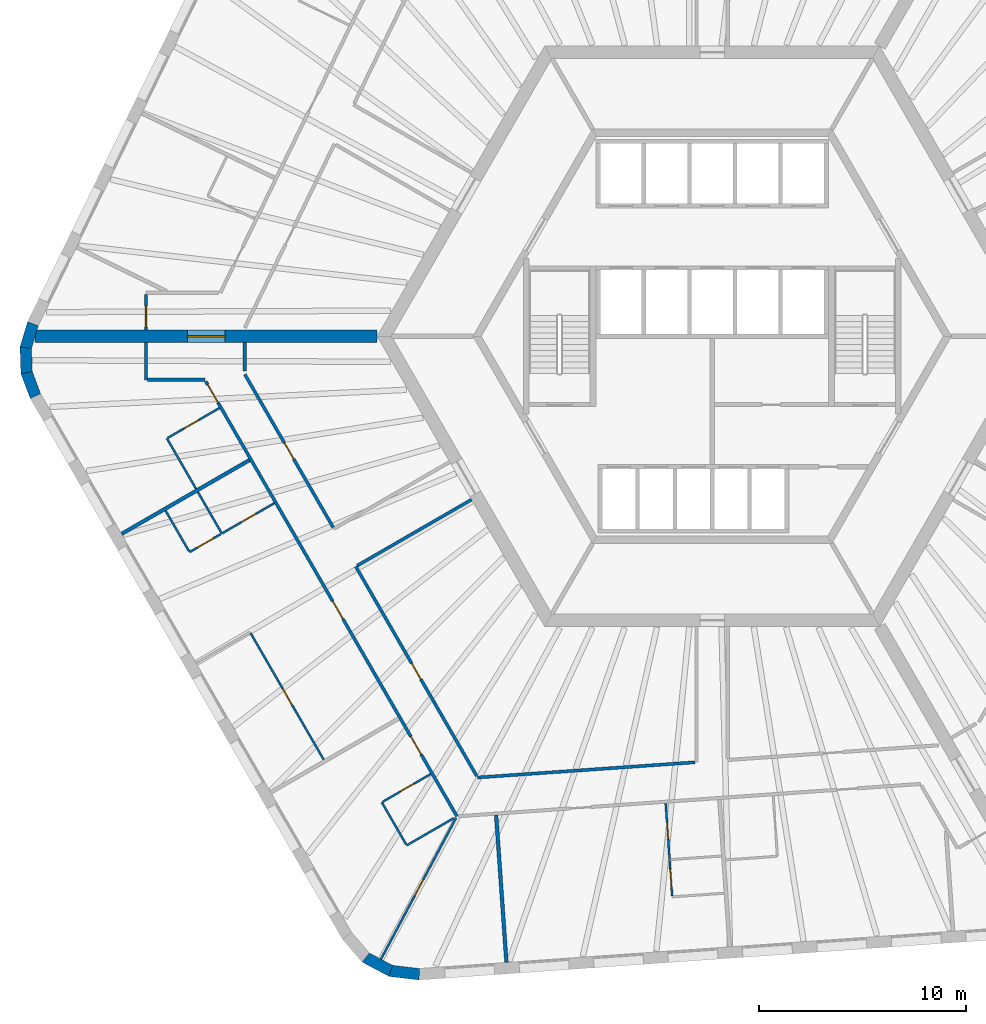
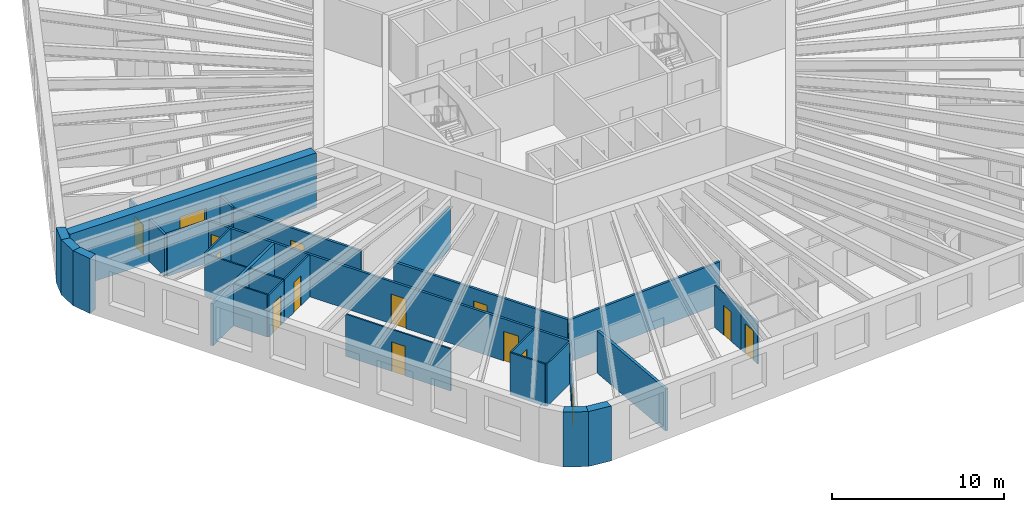
# One storey, part 3 of 11: 30 walls, 15 doors, 15 openings.
"""IFC4 building model written with IfcOpenShell, lengths in metres."""

from ifc_helpers import new_model, si_unit, direction, frame, frame_2d, origin, place, context, subcontext, project, spatial, polyline, rectangle, outline, extrude, material, layer, layer_set, type_object, element, fill, save


model = new_model("IFC4")

# Units and contexts
model_context = context("Model", 3, precision=1e-05, world=origin(), true_north=direction((0.0, 1.0)))
body_context = subcontext(model_context, "Body", "Model", "MODEL_VIEW")
ifc_project = project(units=[si_unit("LENGTHUNIT", "METRE"), si_unit("AREAUNIT", "SQUARE_METRE"), si_unit("VOLUMEUNIT", "CUBIC_METRE"), si_unit("PLANEANGLEUNIT", "RADIAN"), si_unit("MASSUNIT", "GRAM", prefix="KILO")], contexts=[model_context])

# Site, building, storey
site_placement = place(None, origin())
site = spatial("IfcSite", under=ifc_project, at=site_placement, CompositionType="ELEMENT")
building_placement = place(site_placement, origin())
building = spatial("IfcBuilding", under=site, at=building_placement, Name="Tarnside Tower", CompositionType="ELEMENT")
storey_placement = place(building_placement, frame((0.0, 0.0, 107.699951171875)))
storey = spatial("IfcBuildingStorey", under=building, at=storey_placement, Name="L24", CompositionType="ELEMENT", Elevation=107.699951171875)

# Wall
ifc_material_1 = material(Name="Gypsum board partition on steel studs", Category="steel")
ifc_layer_1 = layer(ifc_material_1, 0.10009765625)
ifc_layer_set_1 = layer_set([ifc_layer_1], Name="Bathroom wall 100")
wall_type_1 = type_object("IfcWallType", Name="Bathroom wall 100", PredefinedType="PARTITIONING", material=ifc_layer_set_1)
wall_1_placement = place(storey_placement, frame((-24.90673828125, -7.360595703125, 0.0), z_axis=(0.0, 0.0, 1.0), x_axis=(-0.499933044277, 0.866064057238, 0.0)))
element("IfcWall", 1, at=wall_1_placement, inside=storey, type_object=wall_type_1, Name="Bathroom wall 07102", PredefinedType="PARTITIONING", context=body_context, shape_type="SweptSolid", body=[
    extrude(rectangle(XDim=2.81005859375, YDim=0.10009765625, at=frame_2d((1.405029296875, 0.0))), origin(), (0.0, 0.0, 1.0), 2.98779296875),
])

# Wall, opening, door
wall_2_placement = place(storey_placement, frame((-26.268310546875, -4.90185546875, 0.0), z_axis=(0.0, 0.0, 1.0), x_axis=(0.866018712932, 0.500011588718, 0.0)))
wall_2 = element("IfcWall", 2, at=wall_2_placement, inside=storey, type_object=wall_type_1, Name="Bathroom wall 07103", PredefinedType="PARTITIONING", context=body_context, shape_type="SweptSolid", body=[
    extrude(rectangle(XDim=2.875, YDim=0.10009765625, at=frame_2d((1.4375, 0.0))), origin(), (0.0, 0.0, 1.0), 2.98779296875),
])
opening_1_placement = place(wall_2_placement, frame((0.89990234375, 0.0, 0.0)))
opening_1 = element("IfcOpeningElement", 3, at=opening_1_placement, cuts=wall_2, Name="Opening D-B1", PredefinedType="OPENING", context=body_context, shape_type="SweptSolid", body=[
    extrude(rectangle(XDim=0.800048828125, YDim=2.10009765625, at=frame_2d((0.39990234375, 1.050048828125))), frame((0.0, 0.06005859375, 0.0), z_axis=(0.0, -1.0, 0.0), x_axis=(1.0, 0.0, 0.0)), (0.0, 0.0, 1.0), 0.1201171875),
])
ifc_material_2 = material(Name="Timber door leaf", Category="wood")
door_type_1 = type_object("IfcDoorType", Name="Bathroom door 800", OperationType="NOTDEFINED", PredefinedType="DOOR", material=ifc_material_2)
door_1_placement = place(opening_1_placement, origin())
door_1 = element("IfcDoor", 4, at=door_1_placement, inside=storey, type_object=door_type_1, Name="Bathroom door 07015", OperationType="SINGLE_SWING_RIGHT", OverallHeight=2.10009765625, OverallWidth=0.800048828125, PredefinedType="DOOR", context=body_context, shape_type="SweptSolid", body=[
    extrude(rectangle(XDim=0.800048828125, YDim=2.10009765625, at=frame_2d((0.39990234375, 1.050048828125))), frame((0.0, 0.02490234375, 0.0), z_axis=(0.0, -1.0, 0.0), x_axis=(1.0, 0.0, 0.0)), (0.0, 0.0, 1.0), 0.050048828125),
])
fill(opening_1, door_1)

wall_3_placement = place(storey_placement, frame((-21.12841796875, -8.054443359375, 0.0), z_axis=(0.0, 0.0, 1.0), x_axis=(-0.866046596414, -0.499963291492, 0.0)))
wall_3 = element("IfcWall", 5, at=wall_3_placement, inside=storey, type_object=wall_type_1, Name="Bathroom wall 07107", PredefinedType="PARTITIONING", context=body_context, shape_type="SweptSolid", body=[
    extrude(rectangle(XDim=2.925048828125, YDim=0.10009765625, at=frame_2d((1.46240234375, 0.0))), origin(), (0.0, 0.0, 1.0), 2.98779296875),
])
opening_2_placement = place(wall_3_placement, frame((1.02490234375, 0.0, 0.0)))
opening_2 = element("IfcOpeningElement", 6, at=opening_2_placement, cuts=wall_3, Name="Opening D-B1", PredefinedType="OPENING", context=body_context, shape_type="SweptSolid", body=[
    extrude(rectangle(XDim=0.800048828125, YDim=2.10009765625, at=frame_2d((0.39990234375, 1.050048828125))), frame((0.0, 0.06005859375, 0.0), z_axis=(0.0, -1.0, 0.0), x_axis=(1.0, 0.0, 0.0)), (0.0, 0.0, 1.0), 0.1201171875),
])
door_2_placement = place(opening_2_placement, origin())
door_2 = element("IfcDoor", 7, at=door_2_placement, inside=storey, type_object=door_type_1, Name="Bathroom door 07017", OperationType="SINGLE_SWING_RIGHT", OverallHeight=2.10009765625, OverallWidth=0.800048828125, PredefinedType="DOOR", context=body_context, shape_type="SweptSolid", body=[
    extrude(rectangle(XDim=0.800048828125, YDim=2.10009765625, at=frame_2d((0.39990234375, 1.050048828125))), frame((0.0, 0.02490234375, 0.0), z_axis=(0.0, -1.0, 0.0), x_axis=(1.0, 0.0, 0.0)), (0.0, 0.0, 1.0), 0.050048828125),
])
fill(opening_2, door_2)

# Walls
wall_4_placement = place(storey_placement, frame((-24.816650390625, -7.516357421875, 0.0), z_axis=(0.0, 0.0, 1.0), x_axis=(0.500031020067, -0.8660074936, 0.0)))
element("IfcWall", 8, at=wall_4_placement, inside=storey, type_object=wall_type_1, Name="Bathroom wall 07113", PredefinedType="PARTITIONING", context=body_context, shape_type="SweptSolid", body=[
    extrude(rectangle(XDim=2.260009765625, YDim=0.10009765625, at=frame_2d((1.1298828125, 0.0))), origin(), (0.0, 0.0, 1.0), 2.98779296875),
])
wall_5_placement = place(storey_placement, frame((-12.465576171875, -23.251220703125, 0.0), z_axis=(0.0, 0.0, 1.0), x_axis=(-0.866017009382, -0.50001453925, 0.0)))
element("IfcWall", 9, at=wall_5_placement, inside=storey, type_object=wall_type_1, Name="Bathroom wall 07115", PredefinedType="PARTITIONING", context=body_context, shape_type="SweptSolid", body=[
    extrude(rectangle(XDim=2.62890625, YDim=0.10009765625, at=frame_2d((1.314453125, 0.0))), origin(), (0.0, 0.0, 1.0), 2.98779296875),
])
wall_6_placement = place(storey_placement, frame((-14.767333984375, -24.5224609375, 0.0), z_axis=(0.0, 0.0, 1.0), x_axis=(-0.499938297808, 0.866061024631, 0.0)))
element("IfcWall", 10, at=wall_6_placement, inside=storey, type_object=wall_type_1, Name="Bathroom wall 07116", PredefinedType="PARTITIONING", context=body_context, shape_type="SweptSolid", body=[
    extrude(rectangle(XDim=2.349853515625, YDim=0.10009765625, at=frame_2d((1.1748046875, 0.0))), origin(), (0.0, 0.0, 1.0), 2.98779296875),
])

# Wall, opening, door
wall_7_placement = place(storey_placement, frame((-15.89892578125, -22.462158203125, 0.0), z_axis=(0.0, 0.0, 1.0), x_axis=(0.86604424267, 0.499967368674, 0.0)))
wall_7 = element("IfcWall", 11, at=wall_7_placement, inside=storey, type_object=wall_type_1, Name="Bathroom wall 07117", PredefinedType="PARTITIONING", context=body_context, shape_type="SweptSolid", body=[
    extrude(rectangle(XDim=2.675048828125, YDim=0.10009765625, at=frame_2d((1.33740234375, 0.0))), origin(), (0.0, 0.0, 1.0), 2.98779296875),
])
opening_3_placement = place(wall_7_placement, frame((0.949951171875, 0.0, 0.0)))
opening_3 = element("IfcOpeningElement", 12, at=opening_3_placement, cuts=wall_7, Name="Opening D-B1", PredefinedType="OPENING", context=body_context, shape_type="SweptSolid", body=[
    extrude(rectangle(XDim=0.800048828125, YDim=2.10009765625, at=frame_2d((0.39990234375, 1.050048828125))), frame((0.0, 0.06005859375, 0.0), z_axis=(0.0, -1.0, 0.0), x_axis=(1.0, 0.0, 0.0)), (0.0, 0.0, 1.0), 0.1201171875),
])
door_3_placement = place(opening_3_placement, origin())
door_3 = element("IfcDoor", 13, at=door_3_placement, inside=storey, type_object=door_type_1, Name="Bathroom door 07021", OperationType="SINGLE_SWING_RIGHT", OverallHeight=2.10009765625, OverallWidth=0.800048828125, PredefinedType="DOOR", context=body_context, shape_type="SweptSolid", body=[
    extrude(rectangle(XDim=0.800048828125, YDim=2.10009765625, at=frame_2d((0.39990234375, 1.050048828125))), frame((0.0, 0.02490234375, 0.0), z_axis=(0.0, -1.0, 0.0), x_axis=(1.0, 0.0, 0.0)), (0.0, 0.0, 1.0), 0.050048828125),
])
fill(opening_3, door_3)

wall_8_placement = place(storey_placement, frame((-2.054443359375, -25.2548828125, 0.0), z_axis=(0.0, 0.0, 1.0), x_axis=(-0.069789009646, 0.997561774595, 0.0)))
wall_8 = element("IfcWall", 14, at=wall_8_placement, inside=storey, type_object=wall_type_1, Name="Bathroom wall 07120", PredefinedType="PARTITIONING", context=body_context, shape_type="SweptSolid", body=[
    extrude(rectangle(XDim=2.72509765625, YDim=0.10009765625, at=frame_2d((1.362548828125, 0.0))), origin(), (0.0, 0.0, 1.0), 2.98779296875),
])
opening_4_placement = place(wall_8_placement, frame((1.0, 0.0, 0.0)))
opening_4 = element("IfcOpeningElement", 15, at=opening_4_placement, cuts=wall_8, Name="Opening D-B1", PredefinedType="OPENING", context=body_context, shape_type="SweptSolid", body=[
    extrude(rectangle(XDim=0.800048828125, YDim=2.10009765625, at=frame_2d((0.39990234375, 1.050048828125))), frame((0.0, 0.06005859375, 0.0), z_axis=(0.0, -1.0, 0.0), x_axis=(1.0, 0.0, 0.0)), (0.0, 0.0, 1.0), 0.1201171875),
])
door_4_placement = place(opening_4_placement, origin())
door_4 = element("IfcDoor", 16, at=door_4_placement, inside=storey, type_object=door_type_1, Name="Bathroom door 07024", OperationType="SINGLE_SWING_LEFT", OverallHeight=2.10009765625, OverallWidth=0.800048828125, PredefinedType="DOOR", context=body_context, shape_type="SweptSolid", body=[
    extrude(rectangle(XDim=0.800048828125, YDim=2.10009765625, at=frame_2d((0.39990234375, 1.050048828125))), frame((0.0, 0.02490234375, 0.0), z_axis=(0.0, -1.0, 0.0), x_axis=(1.0, 0.0, 0.0)), (0.0, 0.0, 1.0), 0.050048828125),
])
fill(opening_4, door_4)

ifc_material_3 = material(Name="Concrete C80/95", Category="concrete")
ifc_layer_2 = layer(ifc_material_3, 0.60009765625)
ifc_layer_set_2 = layer_set([ifc_layer_2], Name="Core wall Z1 600 C80/95")
wall_type_2 = type_object("IfcWallType", Name="Core wall Z1 600 C80/95", PredefinedType="SHEAR", material=ifc_layer_set_2)
wall_9_placement = place(storey_placement, frame((-16.165771484375, 0.0, -0.14990234375), z_axis=(0.0, 0.0, 1.0), x_axis=(-1.0, 0.0, 0.0)))
wall_9 = element("IfcWall", 17, at=wall_9_placement, inside=storey, type_object=wall_type_2, Name="L24 spine wall 2", PredefinedType="SHEAR", context=body_context, shape_type="SweptSolid", body=[
    extrude(rectangle(XDim=16.509033203125, YDim=0.60009765625, at=frame_2d((8.25439453125, 0.0))), origin(), (0.0, 0.0, 1.0), 3.89990234375),
])
opening_5_placement = place(wall_9_placement, frame((7.3544921875, 0.0, 0.14990234375)))
opening_5 = element("IfcOpeningElement", 18, at=opening_5_placement, cuts=wall_9, Name="Opening CD-SPN", PredefinedType="OPENING", context=body_context, shape_type="SweptSolid", body=[
    extrude(rectangle(XDim=1.800048828125, YDim=2.39990234375, at=frame_2d((0.89990234375, 1.199951171875))), frame((0.0, 0.31005859375, 0.0), z_axis=(0.0, -1.0, 0.0), x_axis=(1.0, 0.0, 0.0)), (0.0, 0.0, 1.0), 0.6201171875),
])
ifc_material_4 = material(Name="Steel fire door", Category="steel")
door_type_2 = type_object("IfcDoorType", Name="Spine passage double door FD60 1800x2400", OperationType="NOTDEFINED", PredefinedType="DOOR", material=ifc_material_4)
door_5_placement = place(opening_5_placement, origin())
door_5 = element("IfcDoor", 19, at=door_5_placement, inside=storey, type_object=door_type_2, Name="L24 spine passage door 2", OperationType="DOUBLE_DOOR_SINGLE_SWING", OverallHeight=2.39990234375, OverallWidth=1.800048828125, PredefinedType="DOOR", context=body_context, shape_type="SweptSolid", body=[
    extrude(rectangle(XDim=1.800048828125, YDim=2.39990234375, at=frame_2d((0.89990234375, 1.199951171875))), frame((0.0, 0.02490234375, 0.0), z_axis=(0.0, -1.0, 0.0), x_axis=(1.0, 0.0, 0.0)), (0.0, 0.0, 1.0), 0.050048828125),
])
fill(opening_5, door_5)

ifc_layer_3 = layer(ifc_material_1, 0.14990234375)
ifc_layer_set_3 = layer_set([ifc_layer_3], Name="Corridor wall 150 EI 60")
wall_type_3 = type_object("IfcWallType", Name="Corridor wall 150 EI 60", PredefinedType="PARTITIONING", material=ifc_layer_set_3)
wall_10_placement = place(storey_placement, frame((-27.3203125, 2.02490234375, 0.0), z_axis=(0.0, 0.0, 1.0), x_axis=(0.0, -1.0, 0.0)))
wall_10 = element("IfcWall", 20, at=wall_10_placement, inside=storey, type_object=wall_type_3, Name="Corridor wall 07017", PredefinedType="PARTITIONING", context=body_context, shape_type="SweptSolid", body=[
    extrude(rectangle(XDim=1.724853515625, YDim=0.14990234375, at=frame_2d((0.8623046875, 0.0))), origin(), (0.0, 0.0, 1.0), 2.98779296875),
])
opening_6_placement = place(wall_10_placement, frame((0.574951171875, 0.0, 0.0)))
opening_6 = element("IfcOpeningElement", 21, at=opening_6_placement, cuts=wall_10, Name="Opening D-E1", PredefinedType="OPENING", context=body_context, shape_type="SweptSolid", body=[
    extrude(rectangle(XDim=1.0, YDim=2.10009765625, at=frame_2d((0.5, 1.050048828125))), frame((0.0, 0.0849609375, 0.0), z_axis=(0.0, -1.0, 0.0), x_axis=(1.0, 0.0, 0.0)), (0.0, 0.0, 1.0), 0.169921875),
])
door_type_3 = type_object("IfcDoorType", Name="Unit entrance door 1000 FD30S", OperationType="NOTDEFINED", PredefinedType="DOOR", material=ifc_material_2)
door_6_placement = place(opening_6_placement, origin())
door_6 = element("IfcDoor", 22, at=door_6_placement, inside=storey, type_object=door_type_3, Name="Unit door 07013", OperationType="SINGLE_SWING_LEFT", OverallHeight=2.10009765625, OverallWidth=1.0, PredefinedType="DOOR", context=body_context, shape_type="SweptSolid", body=[
    extrude(rectangle(XDim=1.0, YDim=2.10009765625, at=frame_2d((0.5, 1.050048828125))), frame((0.0, 0.02490234375, 0.0), z_axis=(0.0, -1.0, 0.0), x_axis=(1.0, 0.0, 0.0)), (0.0, 0.0, 1.0), 0.050048828125),
])
fill(opening_6, door_6)

# Walls
wall_11_placement = place(storey_placement, frame((-27.3203125, -0.300048828125, 0.0), z_axis=(0.0, 0.0, 1.0), x_axis=(0.0, -1.0, 0.0)))
element("IfcWall", 23, at=wall_11_placement, inside=storey, type_object=wall_type_3, Name="Corridor wall 07027", PredefinedType="PARTITIONING", context=body_context, shape_type="SweptSolid", body=[
    extrude(rectangle(XDim=1.800048828125, YDim=0.14990234375, at=frame_2d((0.89990234375, 0.0))), origin(), (0.0, 0.0, 1.0), 2.98779296875),
])
wall_12_placement = place(storey_placement, frame((-27.245361328125, -2.10009765625, 0.0), z_axis=(0.0, 0.0, 1.0), x_axis=(1.0, 0.0, 0.0)))
element("IfcWall", 24, at=wall_12_placement, inside=storey, type_object=wall_type_3, Name="Corridor wall 07028", PredefinedType="PARTITIONING", context=body_context, shape_type="SweptSolid", body=[
    extrude(rectangle(XDim=2.765625, YDim=0.14990234375, at=frame_2d((1.3828125, 0.0))), origin(), (0.0, 0.0, 1.0), 2.98779296875),
])

# Wall, openings, doors
wall_13_placement = place(storey_placement, frame((-24.436279296875, -2.175048828125, 0.0), z_axis=(0.0, 0.0, 1.0), x_axis=(0.499996816197, -0.866027241946, 0.0)))
wall_13 = element("IfcWall", 25, at=wall_13_placement, inside=storey, type_object=wall_type_3, Name="Corridor wall 07029", PredefinedType="PARTITIONING", context=body_context, shape_type="SweptSolid", body=[
    extrude(rectangle(XDim=24.238037109375, YDim=0.14990234375, at=frame_2d((12.119140625, 0.0))), origin(), (0.0, 0.0, 1.0), 2.98779296875),
])
opening_7_placement = place(wall_13_placement, frame((0.179443359375, 0.0, 0.0)))
opening_7 = element("IfcOpeningElement", 26, at=opening_7_placement, cuts=wall_13, Name="Opening D-E1", PredefinedType="OPENING", context=body_context, shape_type="SweptSolid", body=[
    extrude(rectangle(XDim=1.0, YDim=2.10009765625, at=frame_2d((0.5, 1.050048828125))), frame((0.0, 0.0849609375, 0.0), z_axis=(0.0, -1.0, 0.0), x_axis=(1.0, 0.0, 0.0)), (0.0, 0.0, 1.0), 0.169921875),
])
opening_8_placement = place(wall_13_placement, frame((12.24560546875, 0.0, 0.0)))
opening_8 = element("IfcOpeningElement", 27, at=opening_8_placement, cuts=wall_13, Name="Opening D-E1", PredefinedType="OPENING", context=body_context, shape_type="SweptSolid", body=[
    extrude(rectangle(XDim=1.0, YDim=2.10009765625, at=frame_2d((0.5, 1.050048828125))), frame((0.0, 0.0849609375, 0.0), z_axis=(0.0, -1.0, 0.0), x_axis=(1.0, 0.0, 0.0)), (0.0, 0.0, 1.0), 0.169921875),
])
opening_9_placement = place(wall_13_placement, frame((19.791748046875, 0.0, 0.0)))
opening_9 = element("IfcOpeningElement", 28, at=opening_9_placement, cuts=wall_13, Name="Opening D-E1", PredefinedType="OPENING", context=body_context, shape_type="SweptSolid", body=[
    extrude(rectangle(XDim=1.0, YDim=2.10009765625, at=frame_2d((0.5, 1.050048828125))), frame((0.0, 0.0849609375, 0.0), z_axis=(0.0, -1.0, 0.0), x_axis=(1.0, 0.0, 0.0)), (0.0, 0.0, 1.0), 0.169921875),
])
door_7_placement = place(opening_7_placement, origin())
door_7 = element("IfcDoor", 29, at=door_7_placement, inside=storey, type_object=door_type_3, Name="Unit door 07014", OperationType="SINGLE_SWING_RIGHT", OverallHeight=2.10009765625, OverallWidth=1.0, PredefinedType="DOOR", context=body_context, shape_type="SweptSolid", body=[
    extrude(rectangle(XDim=1.0, YDim=2.10009765625, at=frame_2d((0.5, 1.050048828125))), frame((0.0, 0.02490234375, 0.0), z_axis=(0.0, -1.0, 0.0), x_axis=(1.0, 0.0, 0.0)), (0.0, 0.0, 1.0), 0.050048828125),
])
fill(opening_7, door_7)
door_8_placement = place(opening_8_placement, origin())
door_8 = element("IfcDoor", 30, at=door_8_placement, inside=storey, type_object=door_type_3, Name="Unit door 07016", OperationType="SINGLE_SWING_RIGHT", OverallHeight=2.10009765625, OverallWidth=1.0, PredefinedType="DOOR", context=body_context, shape_type="SweptSolid", body=[
    extrude(rectangle(XDim=1.0, YDim=2.10009765625, at=frame_2d((0.5, 1.050048828125))), frame((0.0, 0.02490234375, 0.0), z_axis=(0.0, -1.0, 0.0), x_axis=(1.0, 0.0, 0.0)), (0.0, 0.0, 1.0), 0.050048828125),
])
fill(opening_8, door_8)
door_9_placement = place(opening_9_placement, origin())
door_9 = element("IfcDoor", 31, at=door_9_placement, inside=storey, type_object=door_type_3, Name="Unit door 07020", OperationType="SINGLE_SWING_RIGHT", OverallHeight=2.10009765625, OverallWidth=1.0, PredefinedType="DOOR", context=body_context, shape_type="SweptSolid", body=[
    extrude(rectangle(XDim=1.0, YDim=2.10009765625, at=frame_2d((0.5, 1.050048828125))), frame((0.0, 0.02490234375, 0.0), z_axis=(0.0, -1.0, 0.0), x_axis=(1.0, 0.0, 0.0)), (0.0, 0.0, 1.0), 0.050048828125),
])
fill(opening_9, door_9)

# Wall, opening, door
wall_14_placement = place(storey_placement, frame((-18.287109375, -9.225830078125, 0.0), z_axis=(0.0, 0.0, 1.0), x_axis=(-0.500004853958, 0.866022601332, 0.0)))
wall_14 = element("IfcWall", 32, at=wall_14_placement, inside=storey, type_object=wall_type_3, Name="Corridor wall 07044", PredefinedType="PARTITIONING", context=body_context, shape_type="SweptSolid", body=[
    extrude(rectangle(XDim=8.53125, YDim=0.14990234375, at=frame_2d((4.265625, 0.0))), origin(), (0.0, 0.0, 1.0), 2.98779296875),
])
opening_10_placement = place(wall_14_placement, frame((3.815673828125, 0.0, 0.0)))
opening_10 = element("IfcOpeningElement", 33, at=opening_10_placement, cuts=wall_14, Name="Opening D-S1", PredefinedType="OPENING", context=body_context, shape_type="SweptSolid", body=[
    extrude(rectangle(XDim=0.89990234375, YDim=2.10009765625, at=frame_2d((0.449951171875, 1.050048828125))), frame((0.0, 0.0849609375, 0.0), z_axis=(0.0, -1.0, 0.0), x_axis=(1.0, 0.0, 0.0)), (0.0, 0.0, 1.0), 0.169921875),
])
door_type_4 = type_object("IfcDoorType", Name="Service room door 900 FD30S", OperationType="NOTDEFINED", PredefinedType="DOOR", material=ifc_material_2)
door_10_placement = place(opening_10_placement, origin())
door_10 = element("IfcDoor", 34, at=door_10_placement, inside=storey, type_object=door_type_4, Name="Service door 07045", OperationType="SINGLE_SWING_RIGHT", OverallHeight=2.10009765625, OverallWidth=0.89990234375, PredefinedType="DOOR", context=body_context, shape_type="SweptSolid", body=[
    extrude(rectangle(XDim=0.89990234375, YDim=2.10009765625, at=frame_2d((0.449951171875, 1.050048828125))), frame((0.0, 0.02490234375, 0.0), z_axis=(0.0, -1.0, 0.0), x_axis=(1.0, 0.0, 0.0)), (0.0, 0.0, 1.0), 0.050048828125),
])
fill(opening_10, door_10)

# Walls
wall_15_placement = place(storey_placement, frame((-22.552734375, -1.6875, 0.0), z_axis=(0.0, 0.0, 1.0), x_axis=(0.0, 1.0, 0.0)))
element("IfcWall", 35, at=wall_15_placement, inside=storey, type_object=wall_type_3, Name="Corridor wall 07045", PredefinedType="PARTITIONING", context=body_context, shape_type="SweptSolid", body=[
    extrude(rectangle(XDim=1.387451171875, YDim=0.14990234375, at=frame_2d((0.69384765625, 0.0))), origin(), (0.0, 0.0, 1.0), 2.98779296875),
])
wall_16_placement = place(storey_placement, frame((-0.824951171875, -20.5576171875, 0.0), z_axis=(0.0, 0.0, 1.0), x_axis=(-0.997564524135, -0.069749696677, 0.0)))
element("IfcWall", 36, at=wall_16_placement, inside=storey, type_object=wall_type_3, Name="Corridor wall 07047", PredefinedType="PARTITIONING", context=body_context, shape_type="SweptSolid", body=[
    extrude(rectangle(XDim=10.521728515625, YDim=0.14990234375, at=frame_2d((5.2607421875, 0.0))), origin(), (0.0, 0.0, 1.0), 2.98779296875),
])

# Wall, opening, door
wall_17_placement = place(storey_placement, frame((-11.362548828125, -21.21923828125, 0.0), z_axis=(0.0, 0.0, 1.0), x_axis=(-0.50001451402, 0.866017023949, 0.0)))
wall_17 = element("IfcWall", 37, at=wall_17_placement, inside=storey, type_object=wall_type_3, Name="Corridor wall 07048", PredefinedType="PARTITIONING", context=body_context, shape_type="SweptSolid", body=[
    extrude(rectangle(XDim=11.674072265625, YDim=0.14990234375, at=frame_2d((5.8369140625, 0.0))), origin(), (0.0, 0.0, 1.0), 2.98779296875),
])
opening_11_placement = place(wall_17_placement, frame((5.386962890625, 0.0, 0.0)))
opening_11 = element("IfcOpeningElement", 38, at=opening_11_placement, cuts=wall_17, Name="Opening D-S1", PredefinedType="OPENING", context=body_context, shape_type="SweptSolid", body=[
    extrude(rectangle(XDim=0.89990234375, YDim=2.10009765625, at=frame_2d((0.449951171875, 1.050048828125))), frame((0.0, 0.0849609375, 0.0), z_axis=(0.0, -1.0, 0.0), x_axis=(1.0, 0.0, 0.0)), (0.0, 0.0, 1.0), 0.169921875),
])
door_11_placement = place(opening_11_placement, origin())
door_11 = element("IfcDoor", 39, at=door_11_placement, inside=storey, type_object=door_type_4, Name="Service door 07046", OperationType="SINGLE_SWING_RIGHT", OverallHeight=2.10009765625, OverallWidth=0.89990234375, PredefinedType="DOOR", context=body_context, shape_type="SweptSolid", body=[
    extrude(rectangle(XDim=0.89990234375, YDim=2.10009765625, at=frame_2d((0.449951171875, 1.050048828125))), frame((0.0, 0.02490234375, 0.0), z_axis=(0.0, -1.0, 0.0), x_axis=(1.0, 0.0, 0.0)), (0.0, 0.0, 1.0), 0.050048828125),
])
fill(opening_11, door_11)

# Walls
wall_18_placement = place(storey_placement, frame((-17.134765625, -11.07177734375, 0.0), z_axis=(0.0, 0.0, 1.0), x_axis=(0.866028703517, 0.499994284652, 0.0)))
element("IfcWall", 40, at=wall_18_placement, inside=storey, type_object=wall_type_3, Name="Corridor wall 07049", PredefinedType="PARTITIONING", context=body_context, shape_type="SweptSolid", body=[
    extrude(rectangle(XDim=6.375, YDim=0.14990234375, at=frame_2d((3.1875, 0.0))), origin(), (0.0, 0.0, 1.0), 2.98779296875),
])
ifc_layer_4 = layer(ifc_material_1, 0.179931640625)
ifc_layer_set_4 = layer_set([ifc_layer_4], Name="Demising wall 180 EI 60")
wall_type_4 = type_object("IfcWallType", Name="Demising wall 180 EI 60", PredefinedType="PARTITIONING", material=ifc_layer_set_4)
for number, where, z_axis, x_axis, name in (
    (41, (-28.4990234375, -9.538330078125, 0.0), (0.0, 0.0, 1.0), (0.866024672353, 0.500001266874, 0.0), "Demising wall 07104"),
    (42, (-9.927490234375, -30.216064453125, 0.0), (0.0, 0.0, 1.0), (-0.069764000094, 0.997563523938, 0.0), "Demising wall 07119"),
):
    element("IfcWall", number, at=place(storey_placement, frame(where, z_axis=z_axis, x_axis=x_axis)), inside=storey, type_object=wall_type_4, Name=name, PredefinedType="PARTITIONING", context=body_context, shape_type="SweptSolid", body=[
        extrude(rectangle(XDim=7.125, YDim=0.179931640625, at=frame_2d((3.5625, 0.0))), origin(), (0.0, 0.0, 1.0), 2.98779296875),
    ])

# Wall, opening, door
ifc_layer_5 = layer(ifc_material_1, 0.10009765625)
ifc_layer_set_5 = layer_set([ifc_layer_5], Name="Partition 100")
wall_type_5 = type_object("IfcWallType", Name="Partition 100", PredefinedType="PARTITIONING", material=ifc_layer_set_5)
wall_19_placement = place(storey_placement, frame((-23.704833984375, -9.5419921875, 0.0), z_axis=(0.0, 0.0, 1.0), x_axis=(-0.866036909293, -0.499980071345, 0.0)))
wall_19 = element("IfcWall", 43, at=wall_19_placement, inside=storey, type_object=wall_type_5, Name="Partition wall 07108", PredefinedType="PARTITIONING", context=body_context, shape_type="SweptSolid", body=[
    extrude(rectangle(XDim=1.75, YDim=0.10009765625, at=frame_2d((0.875, 0.0))), origin(), (0.0, 0.0, 1.0), 2.98779296875),
])
opening_12_placement = place(wall_19_placement, frame((0.39990234375, 0.0, 0.0)))
opening_12 = element("IfcOpeningElement", 44, at=opening_12_placement, cuts=wall_19, Name="Opening D-I1", PredefinedType="OPENING", context=body_context, shape_type="SweptSolid", body=[
    extrude(rectangle(XDim=0.89990234375, YDim=2.10009765625, at=frame_2d((0.449951171875, 1.050048828125))), frame((0.0, 0.06005859375, 0.0), z_axis=(0.0, -1.0, 0.0), x_axis=(1.0, 0.0, 0.0)), (0.0, 0.0, 1.0), 0.1201171875),
])
door_type_5 = type_object("IfcDoorType", Name="Internal door 900", OperationType="NOTDEFINED", PredefinedType="DOOR", material=ifc_material_2)
door_12_placement = place(opening_12_placement, origin())
door_12 = element("IfcDoor", 45, at=door_12_placement, inside=storey, type_object=door_type_5, Name="Internal door 07018", OperationType="SINGLE_SWING_RIGHT", OverallHeight=2.10009765625, OverallWidth=0.89990234375, PredefinedType="DOOR", context=body_context, shape_type="SweptSolid", body=[
    extrude(rectangle(XDim=0.89990234375, YDim=2.10009765625, at=frame_2d((0.449951171875, 1.050048828125))), frame((0.0, 0.02490234375, 0.0), z_axis=(0.0, -1.0, 0.0), x_axis=(1.0, 0.0, 0.0)), (0.0, 0.0, 1.0), 0.050048828125),
])
fill(opening_12, door_12)

# Wall
wall_20_placement = place(storey_placement, frame((-25.245361328125, -10.37353515625, 0.0), z_axis=(0.0, 0.0, 1.0), x_axis=(-0.500031020067, 0.8660074936, 0.0)))
element("IfcWall", 46, at=wall_20_placement, inside=storey, type_object=wall_type_5, Name="Partition wall 07109", PredefinedType="PARTITIONING", context=body_context, shape_type="SweptSolid", body=[
    extrude(rectangle(XDim=2.260009765625, YDim=0.10009765625, at=frame_2d((1.1298828125, 0.0))), origin(), (0.0, 0.0, 1.0), 2.98779296875),
])

# Wall, opening, door
wall_21_placement = place(storey_placement, frame((-22.27587890625, -14.317138671875, 0.0), z_axis=(0.0, 0.0, 1.0), x_axis=(0.500010820671, -0.866019156377, 0.0)))
wall_21 = element("IfcWall", 47, at=wall_21_placement, inside=storey, type_object=wall_type_5, Name="Partition wall 07111", PredefinedType="PARTITIONING", context=body_context, shape_type="SweptSolid", body=[
    extrude(rectangle(XDim=7.059814453125, YDim=0.10009765625, at=frame_2d((3.52978515625, 0.0))), origin(), (0.0, 0.0, 1.0), 2.98779296875),
])
opening_13_placement = place(wall_21_placement, frame((3.10009765625, 0.0, 0.0)))
opening_13 = element("IfcOpeningElement", 48, at=opening_13_placement, cuts=wall_21, Name="Opening D-I1", PredefinedType="OPENING", context=body_context, shape_type="SweptSolid", body=[
    extrude(rectangle(XDim=0.89990234375, YDim=2.10009765625, at=frame_2d((0.449951171875, 1.050048828125))), frame((0.0, 0.06005859375, 0.0), z_axis=(0.0, -1.0, 0.0), x_axis=(1.0, 0.0, 0.0)), (0.0, 0.0, 1.0), 0.1201171875),
])
door_13_placement = place(opening_13_placement, origin())
door_13 = element("IfcDoor", 49, at=door_13_placement, inside=storey, type_object=door_type_5, Name="Internal door 07019", OperationType="SINGLE_SWING_LEFT", OverallHeight=2.10009765625, OverallWidth=0.89990234375, PredefinedType="DOOR", context=body_context, shape_type="SweptSolid", body=[
    extrude(rectangle(XDim=0.89990234375, YDim=2.10009765625, at=frame_2d((0.449951171875, 1.050048828125))), frame((0.0, 0.02490234375, 0.0), z_axis=(0.0, -1.0, 0.0), x_axis=(1.0, 0.0, 0.0)), (0.0, 0.0, 1.0), 0.050048828125),
])
fill(opening_13, door_13)

wall_22_placement = place(storey_placement, frame((-15.98291015625, -30.059326171875, 0.0), z_axis=(0.0, 0.0, 1.0), x_axis=(0.469495384778, 0.882934926069, 0.0)))
wall_22 = element("IfcWall", 50, at=wall_22_placement, inside=storey, type_object=wall_type_5, Name="Partition wall 07118", PredefinedType="PARTITIONING", context=body_context, shape_type="SweptSolid", body=[
    extrude(rectangle(XDim=7.713134765625, YDim=0.10009765625, at=frame_2d((3.8564453125, 0.0))), origin(), (0.0, 0.0, 1.0), 2.98779296875),
])
opening_14_placement = place(wall_22_placement, frame((3.453857421875, 0.0, 0.0)))
opening_14 = element("IfcOpeningElement", 51, at=opening_14_placement, cuts=wall_22, Name="Opening D-I1", PredefinedType="OPENING", context=body_context, shape_type="SweptSolid", body=[
    extrude(rectangle(XDim=0.89990234375, YDim=2.10009765625, at=frame_2d((0.449951171875, 1.050048828125))), frame((0.0, 0.06005859375, 0.0), z_axis=(0.0, -1.0, 0.0), x_axis=(1.0, 0.0, 0.0)), (0.0, 0.0, 1.0), 0.1201171875),
])
door_14_placement = place(opening_14_placement, origin())
door_14 = element("IfcDoor", 52, at=door_14_placement, inside=storey, type_object=door_type_5, Name="Internal door 07022", OperationType="SINGLE_SWING_LEFT", OverallHeight=2.10009765625, OverallWidth=0.89990234375, PredefinedType="DOOR", context=body_context, shape_type="SweptSolid", body=[
    extrude(rectangle(XDim=0.89990234375, YDim=2.10009765625, at=frame_2d((0.449951171875, 1.050048828125))), frame((0.0, 0.02490234375, 0.0), z_axis=(0.0, -1.0, 0.0), x_axis=(1.0, 0.0, 0.0)), (0.0, 0.0, 1.0), 0.050048828125),
])
fill(opening_14, door_14)

wall_23_placement = place(storey_placement, frame((-1.932373046875, -27.00048828125, 0.0), z_axis=(0.0, 0.0, 1.0), x_axis=(-0.069797686069, 0.997561167558, 0.0)))
wall_23 = element("IfcWall", 53, at=wall_23_placement, inside=storey, type_object=wall_type_5, Name="Partition wall 07122", PredefinedType="PARTITIONING", context=body_context, shape_type="SweptSolid", body=[
    extrude(rectangle(XDim=1.699951171875, YDim=0.10009765625, at=frame_2d((0.85009765625, 0.0))), origin(), (0.0, 0.0, 1.0), 2.98779296875),
])
opening_15_placement = place(wall_23_placement, frame((0.39990234375, 0.0, 0.0)))
opening_15 = element("IfcOpeningElement", 54, at=opening_15_placement, cuts=wall_23, Name="Opening D-I1", PredefinedType="OPENING", context=body_context, shape_type="SweptSolid", body=[
    extrude(rectangle(XDim=0.89990234375, YDim=2.10009765625, at=frame_2d((0.449951171875, 1.050048828125))), frame((0.0, 0.06005859375, 0.0), z_axis=(0.0, -1.0, 0.0), x_axis=(1.0, 0.0, 0.0)), (0.0, 0.0, 1.0), 0.1201171875),
])
door_15_placement = place(opening_15_placement, origin())
door_15 = element("IfcDoor", 55, at=door_15_placement, inside=storey, type_object=door_type_5, Name="Internal door 07025", OperationType="SINGLE_SWING_RIGHT", OverallHeight=2.10009765625, OverallWidth=0.89990234375, PredefinedType="DOOR", context=body_context, shape_type="SweptSolid", body=[
    extrude(rectangle(XDim=0.89990234375, YDim=2.10009765625, at=frame_2d((0.449951171875, 1.050048828125))), frame((0.0, 0.02490234375, 0.0), z_axis=(0.0, -1.0, 0.0), x_axis=(1.0, 0.0, 0.0)), (0.0, 0.0, 1.0), 0.050048828125),
])
fill(opening_15, door_15)

# Walls
ifc_material_5 = material(Name="Facing brick", Category="masonry")
ifc_layer_6 = layer(ifc_material_5, 0.10205078125)
ifc_material_6 = material(Name="Concrete C60/75 precast", Category="concrete")
ifc_layer_7 = layer(ifc_material_6, 0.347900390625)
ifc_material_7 = material(Name="Mineral wool insulation")
ifc_layer_8 = layer(ifc_material_7, 0.10009765625)
ifc_layer_set_6 = layer_set([ifc_layer_6, ifc_layer_7, ifc_layer_8], Name="Tube wall 550 brick faced")
wall_type_6 = type_object("IfcWallType", Name="Tube wall 550 brick faced", PredefinedType="SOLIDWALL", material=ifc_layer_set_6)
wall_24_placement = place(storey_placement, frame((-32.77685546875, 0.605224609375, -0.14990234375), z_axis=(0.0, 0.0, 1.0), x_axis=(-0.286921497463, -0.957954098219, 0.0)))
element("IfcWall", 56, at=wall_24_placement, inside=storey, type_object=wall_type_6, Name="Tube wall L24 F2 chord 05", PredefinedType="SOLIDWALL", context=body_context, shape_type="SweptSolid", body=[
    extrude(outline(polyline([(-0.0224609375, -0.27490234375), (1.25341796875, -0.27490234375), (1.1630859375, 0.27490234375), (0.0224609375, 0.27490234375), (-0.0224609375, -0.27490234375)])), origin(), (0.0, 0.0, 1.0), 3.89990234375),
])
wall_25_placement = place(storey_placement, frame((-33.12353515625, -0.55224609375, -0.14990234375), z_axis=(0.0, 0.0, 1.0), x_axis=(0.03495638276, -0.999388838893, 0.0)))
element("IfcWall", 57, at=wall_25_placement, inside=storey, type_object=wall_type_6, Name="Tube wall L24 F2 chord 06", PredefinedType="SOLIDWALL", context=body_context, shape_type="SweptSolid", body=[
    extrude(outline(polyline([(-0.045166015625, -0.27490234375), (1.25341796875, -0.27490234375), (1.1630859375, 0.27490234375), (0.045166015625, 0.27490234375), (-0.045166015625, -0.27490234375)])), origin(), (0.0, 0.0, 1.0), 3.89990234375),
])
wall_26_placement = place(storey_placement, frame((-33.081298828125, -1.759765625, -0.14990234375), z_axis=(0.0, 0.0, 1.0), x_axis=(0.353027214741, -0.935613053378, 0.0)))
element("IfcWall", 58, at=wall_26_placement, inside=storey, type_object=wall_type_6, Name="Tube wall L24 F2 chord 07", PredefinedType="SOLIDWALL", context=body_context, shape_type="SweptSolid", body=[
    extrude(outline(polyline([(-0.045166015625, -0.27490234375), (1.230712890625, -0.27490234375), (1.185791015625, 0.27490234375), (0.045166015625, 0.27490234375), (-0.045166015625, -0.27490234375)])), origin(), (0.0, 0.0, 1.0), 3.89990234375),
])
wall_27_placement = place(storey_placement, frame((-16.720703125, -29.978515625, -0.14990234375), z_axis=(0.0, 0.0, 1.0), x_axis=(0.882994189209, -0.469383917304, 0.0)))
element("IfcWall", 59, at=wall_27_placement, inside=storey, type_object=wall_type_6, Name="Tube wall L24 F3 chord 10", PredefinedType="SOLIDWALL", context=body_context, shape_type="SweptSolid", body=[
    extrude(outline(polyline([(-0.0517578125, -0.27490234375), (1.4306640625, -0.27490234375), (1.3271484375, 0.27490234375), (0.0517578125, 0.27490234375), (-0.0517578125, -0.27490234375)])), origin(), (0.0, 0.0, 1.0), 3.89990234375),
])
wall_28_placement = place(storey_placement, frame((-15.503173828125, -30.625732421875, -0.14990234375), z_axis=(0.0, 0.0, 1.0), x_axis=(0.993232537394, -0.11614269956, 0.0)))
element("IfcWall", 60, at=wall_28_placement, inside=storey, type_object=wall_type_6, Name="Tube wall L24 F3 chord 11", PredefinedType="SOLIDWALL", context=body_context, shape_type="SweptSolid", body=[
    extrude(outline(polyline([(-0.0517578125, -0.27490234375), (1.404541015625, -0.27490234375), (1.353271484375, 0.27490234375), (0.0517578125, 0.27490234375), (-0.0517578125, -0.27490234375)])), origin(), (0.0, 0.0, 1.0), 3.89990234375),
])

save(model, "model.ifc")
